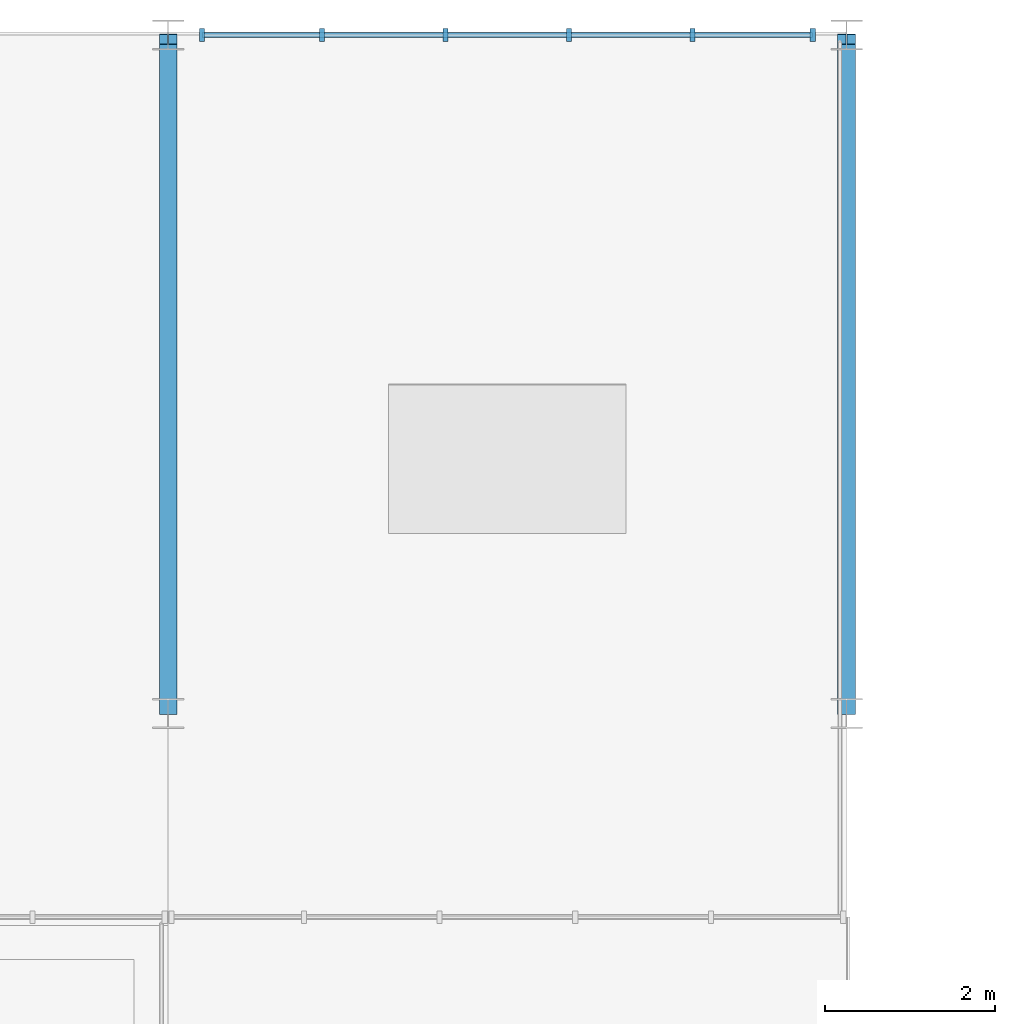
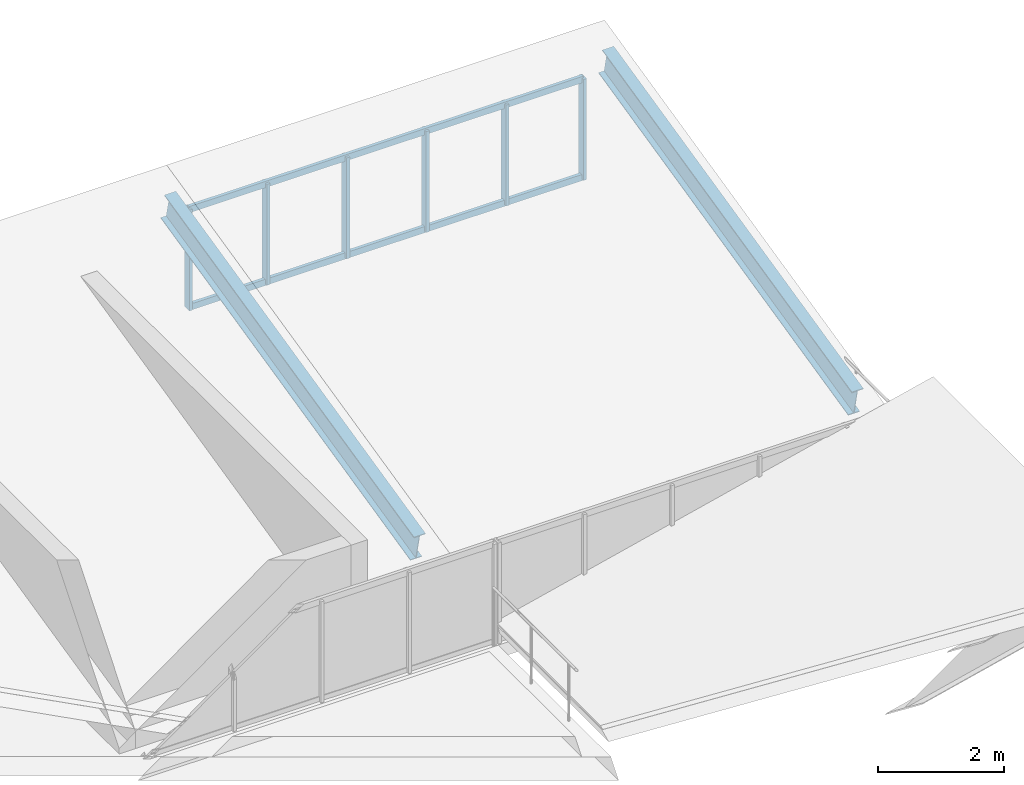
# One storey, part 45 of 83: 8 members, 2 beams, 1 element without a shape of its own.
"""IFC4 building model written with IfcOpenShell, lengths in metres."""

from ifc_helpers import new_model, si_unit, direction, frame, origin, origin_2d, place, context, subcontext, project, spatial, rectangle, i_section, extrude, material, material_profile, profile_set, type_object, element, aggregate, save


model = new_model("IFC4")

# Units and contexts
model_context = context("Model", 3, precision=1e-05, world=origin(), true_north=direction((0.0, 1.0)))
body_context = subcontext(model_context, "Body", "Model", "MODEL_VIEW")
ifc_project = project(units=[si_unit("LENGTHUNIT", "METRE"), si_unit("AREAUNIT", "SQUARE_METRE"), si_unit("VOLUMEUNIT", "CUBIC_METRE"), si_unit("PLANEANGLEUNIT", "RADIAN"), si_unit("MASSUNIT", "GRAM", prefix="KILO")], contexts=[model_context])

# Site, building, storey
site_placement = place(None, origin())
site = spatial("IfcSite", under=ifc_project, at=site_placement, CompositionType="ELEMENT")
building_placement = place(site_placement, origin())
building = spatial("IfcBuilding", under=site, at=building_placement, Name="Drelvath Fold Interchange", CompositionType="ELEMENT")
storey_placement = place(building_placement, frame((0.0, 0.0, 11.199951171875)))
storey = spatial("IfcBuildingStorey", under=building, at=storey_placement, Name="L02", CompositionType="ELEMENT", Elevation=11.199951171875)

# Beams
ifc_material_1 = material(Name="Steel ASTM A992 Grade 50", Category="steel")
ifc_material_profile_1 = material_profile(ifc_material_1, i_section(OverallWidth=0.2099609375, OverallDepth=0.537109375, WebThickness=0.010986328125, FlangeThickness=0.017333984375, at=origin_2d()), Name="W21X68")
ifc_profile_set_1 = profile_set([ifc_material_profile_1], Name="Steel ASTM A992 Grade 50")
beam_type = type_object("IfcBeamType", Name="BM-W21X68", PredefinedType="SPANDREL", material=ifc_profile_set_1)
for number, where, z_axis, x_axis, name in (
    (1, (134.0, 99.050048828125, 0.35009765625), (0.0, 0.974471835255, 0.224509782181), (-1.0, 0.0, 0.0), "Cycle hub sawtooth rafter"),
    (2, (142.0, 99.050048828125, 0.35009765625), (0.0, 0.974471835255, 0.224509782181), (-1.0, 0.0, 0.0), "Cycle hub sawtooth rafter"),
):
    element("IfcBeam", number, at=place(storey_placement, frame(where, z_axis=z_axis, x_axis=x_axis)), inside=storey, type_object=beam_type, Name=name, PredefinedType="SPANDREL", context=body_context, shape_type="SweptSolid", body=[
        extrude(i_section(OverallWidth=0.2099609375, OverallDepth=0.537109375, WebThickness=0.010986328125, FlangeThickness=0.017333984375, at=origin_2d()), origin(), (0.0, 0.0, 1.0), 8.10693359375),
    ])

# Curtain wall, members
ifc_material_2 = material(Name="Anodized Aluminium 6063-T6", Category="aluminium")
curtain_wall_type = type_object("IfcCurtainWallType", Name="CW-CYC-SAW", PredefinedType="USERDEFINED", material=ifc_material_2)
curtain_wall_placement = place(storey_placement, origin())
curtain_wall = element("IfcCurtainWall", 3, at=curtain_wall_placement, inside=storey, type_object=curtain_wall_type, Name="Curtain wall CW-CYC-L02-N134", ObjectType="UNITISED CURTAIN WALL", PredefinedType="USERDEFINED")
ifc_material_profile_2 = material_profile(ifc_material_2, rectangle(XDim=0.06005859375, YDim=0.14990234375, at=origin_2d()), Name="AL-M 60x150")
ifc_profile_set_2 = profile_set([ifc_material_profile_2], Name="Anodized Aluminium 6063-T6")
member_type_1 = type_object("IfcMemberType", Name="ML-150", PredefinedType="MULLION", material=ifc_profile_set_2)
member_1_placement = place(storey_placement, frame((134.39990234375, 107.0, 0.0), z_axis=(0.0, 0.0, 1.0), x_axis=(1.0, 0.0, 0.0)))
member_1 = element("IfcMember", 4, at=member_1_placement, type_object=member_type_1, Name="CW-CYC-L02-N134 mullion 0", PredefinedType="MULLION", context=body_context, shape_type="SweptSolid", body=[
    extrude(rectangle(XDim=0.06005859375, YDim=0.14990234375, at=origin_2d()), origin(), (0.0, 0.0, 1.0), 1.949951171875),
])
member_2_placement = place(storey_placement, frame((135.81591796875, 107.0, 0.0), z_axis=(0.0, 0.0, 1.0), x_axis=(1.0, 0.0, 0.0)))
member_2 = element("IfcMember", 5, at=member_2_placement, type_object=member_type_1, Name="CW-CYC-L02-N134 mullion 1", PredefinedType="MULLION", context=body_context, shape_type="SweptSolid", body=[
    extrude(rectangle(XDim=0.06005859375, YDim=0.14990234375, at=origin_2d()), origin(), (0.0, 0.0, 1.0), 1.949951171875),
])
member_3_placement = place(storey_placement, frame((137.27197265625, 107.0, 0.0), z_axis=(0.0, 0.0, 1.0), x_axis=(1.0, 0.0, 0.0)))
member_3 = element("IfcMember", 6, at=member_3_placement, type_object=member_type_1, Name="CW-CYC-L02-N134 mullion 2", PredefinedType="MULLION", context=body_context, shape_type="SweptSolid", body=[
    extrude(rectangle(XDim=0.06005859375, YDim=0.14990234375, at=origin_2d()), origin(), (0.0, 0.0, 1.0), 1.949951171875),
])
member_4_placement = place(storey_placement, frame((138.72802734375, 107.0, 0.0), z_axis=(0.0, 0.0, 1.0), x_axis=(1.0, 0.0, 0.0)))
member_4 = element("IfcMember", 7, at=member_4_placement, type_object=member_type_1, Name="CW-CYC-L02-N134 mullion 3", PredefinedType="MULLION", context=body_context, shape_type="SweptSolid", body=[
    extrude(rectangle(XDim=0.06005859375, YDim=0.14990234375, at=origin_2d()), origin(), (0.0, 0.0, 1.0), 1.949951171875),
])
member_5_placement = place(storey_placement, frame((140.18408203125, 107.0, 0.0), z_axis=(0.0, 0.0, 1.0), x_axis=(1.0, 0.0, 0.0)))
member_5 = element("IfcMember", 8, at=member_5_placement, type_object=member_type_1, Name="CW-CYC-L02-N134 mullion 4", PredefinedType="MULLION", context=body_context, shape_type="SweptSolid", body=[
    extrude(rectangle(XDim=0.06005859375, YDim=0.14990234375, at=origin_2d()), origin(), (0.0, 0.0, 1.0), 1.949951171875),
])
member_6_placement = place(storey_placement, frame((141.60009765625, 107.0, 0.0), z_axis=(0.0, 0.0, 1.0), x_axis=(1.0, 0.0, 0.0)))
member_6 = element("IfcMember", 9, at=member_6_placement, type_object=member_type_1, Name="CW-CYC-L02-N134 mullion 5", PredefinedType="MULLION", context=body_context, shape_type="SweptSolid", body=[
    extrude(rectangle(XDim=0.06005859375, YDim=0.14990234375, at=origin_2d()), origin(), (0.0, 0.0, 1.0), 1.949951171875),
])
ifc_material_profile_3 = material_profile(ifc_material_2, rectangle(XDim=0.06005859375, YDim=0.1201171875, at=origin_2d()), Name="AL-T 60x120")
ifc_profile_set_3 = profile_set([ifc_material_profile_3], Name="Anodized Aluminium 6063-T6")
member_type_2 = type_object("IfcMemberType", Name="TR-120", PredefinedType="USERDEFINED", material=ifc_profile_set_3)
member_7_placement = place(storey_placement, frame((134.39990234375, 107.0, 0.030029296875), z_axis=(1.0, 0.0, 0.0), x_axis=(0.0, 1.0, 0.0)))
member_7 = element("IfcMember", 10, at=member_7_placement, type_object=member_type_2, Name="CW-CYC-L02-N134 transom 0", ObjectType="TRANSOM", PredefinedType="USERDEFINED", context=body_context, shape_type="SweptSolid", body=[
    extrude(rectangle(XDim=0.06005859375, YDim=0.1201171875, at=origin_2d()), origin(), (0.0, 0.0, 1.0), 7.2001953125),
])
member_8_placement = place(storey_placement, frame((134.39990234375, 107.0, 1.920166015625), z_axis=(1.0, 0.0, 0.0), x_axis=(0.0, 1.0, 0.0)))
member_8 = element("IfcMember", 11, at=member_8_placement, type_object=member_type_2, Name="CW-CYC-L02-N134 transom 1", ObjectType="TRANSOM", PredefinedType="USERDEFINED", context=body_context, shape_type="SweptSolid", body=[
    extrude(rectangle(XDim=0.06005859375, YDim=0.1201171875, at=origin_2d()), origin(), (0.0, 0.0, 1.0), 7.2001953125),
])
aggregate(curtain_wall, [member_1, member_2, member_3, member_4, member_5, member_6, member_7, member_8])

save(model, "model.ifc")
